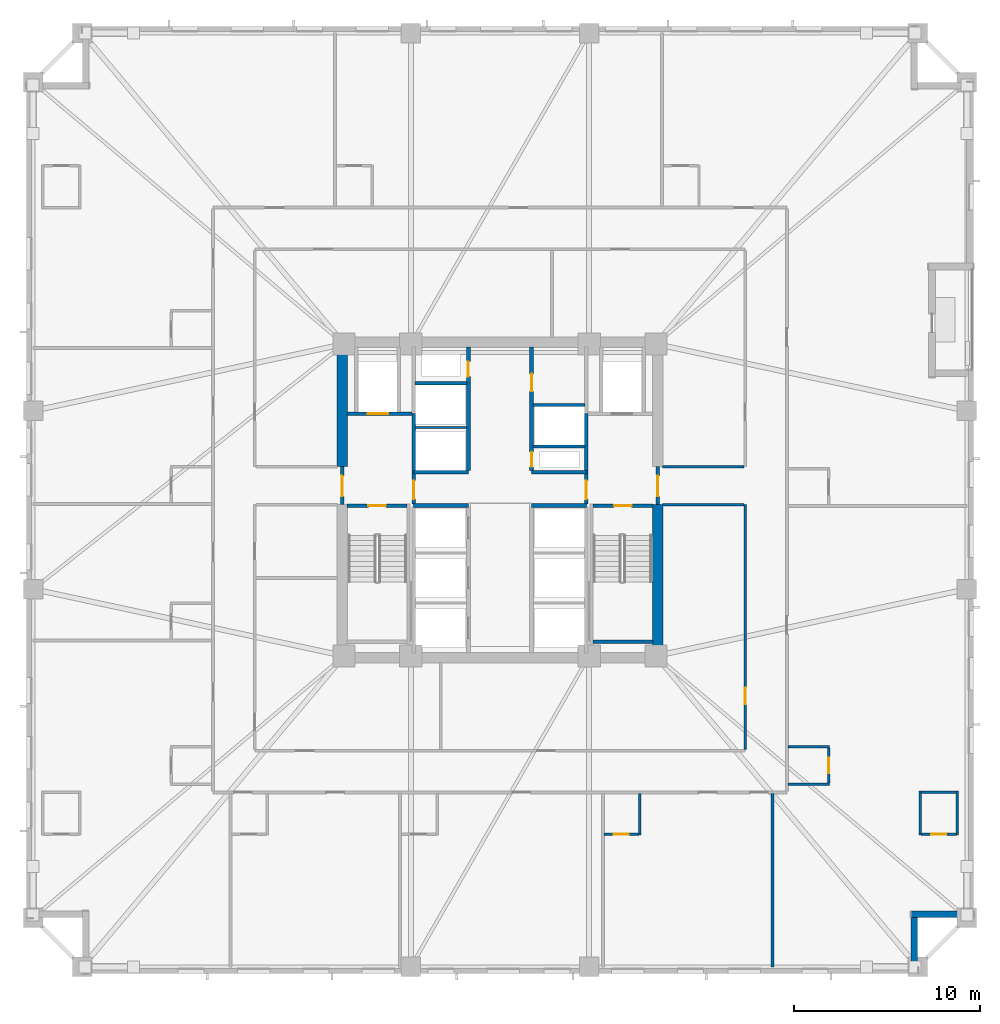
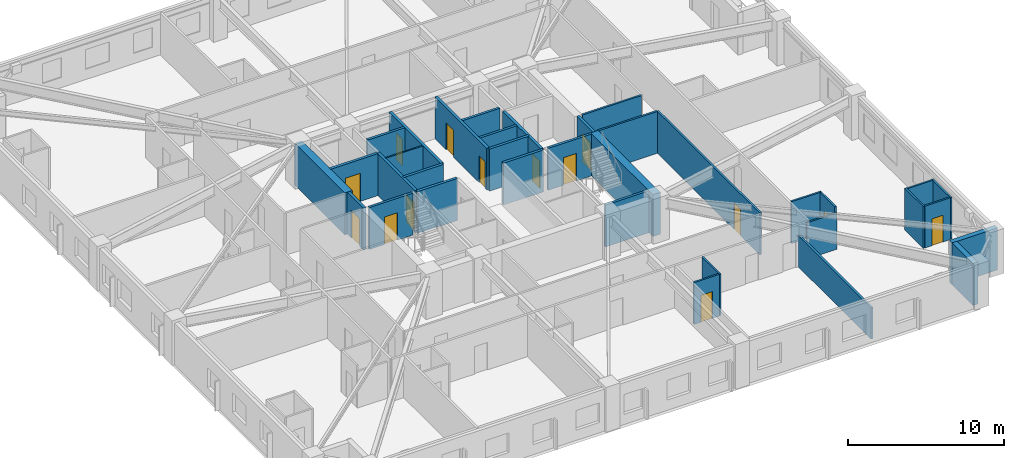
# One storey, part 4 of 12: 35 walls, 14 doors, 14 openings.
"""IFC4 building model written with IfcOpenShell, lengths in metres."""

import ifcopenshell
import ifcopenshell.guid

model = None  # the IFC model being written
_history = None  # IfcOwnerHistory: only IFC2X3 demands one
_inside = {}  # id of a spatial element -> (the spatial element, [elements in it])
_under = {}  # id of a project, library or spatial element -> (it, [spatial elements below it])
_declared = {}  # id of a project -> (the project, [libraries it declares])
_typed = {}  # id of a type object -> (the type object, [elements of that type])
_made_of = {}  # id of a material, layer set ... -> (it, [elements and type objects made of it])


def new_model(schema):
    """Start an empty IFC model of exactly this schema.

    Asked for "IFC4X3", IfcOpenShell would pick the latest addendum, in which some entities
    have other attributes; the version numbers below select the first issue.
    IFC2X3 requires an IfcOwnerHistory on every rooted entity: one is made here for all.
    """
    global model, _history
    if schema == "IFC4X3":
        model = ifcopenshell.file(schema_version=(4, 3, 0, 0))
    else:
        model = ifcopenshell.file(schema=schema)
    _inside.clear()
    _under.clear()
    _declared.clear()
    _typed.clear()
    _made_of.clear()
    _history = None
    if model.schema == "IFC2X3":
        org = make("IfcOrganization", Name="unknown")
        user = make(
            "IfcPersonAndOrganization",
            ThePerson=make("IfcPerson", FamilyName="unknown"),
            TheOrganization=org,
        )
        app = make(
            "IfcApplication",
            ApplicationDeveloper=org,
            Version="unknown",
            ApplicationFullName="unknown",
            ApplicationIdentifier="unknown",
        )
        _history = make(
            "IfcOwnerHistory",
            OwningUser=user,
            OwningApplication=app,
            ChangeAction="ADDED",
            CreationDate=0,
        )
    return model


def make(cls, **values):
    """One entity of the class cls with the attributes given. An attribute that is None is left unset."""
    return model.create_entity(
        cls, **{name: value for name, value in values.items() if value is not None}
    )


def rooted(cls, **values):
    """An entity with a GlobalId (a new one), such as an element, a storey or a relation."""
    return make(cls, GlobalId=ifcopenshell.guid.new(), OwnerHistory=_history, **values)


def si_unit(unit_type, name, prefix=None):
    """IfcSIUnit, for example si_unit("LENGTHUNIT", "METRE", prefix="MILLI")."""
    return make("IfcSIUnit", UnitType=unit_type, Prefix=prefix, Name=name)


def assignment(units):
    """IfcUnitAssignment: the units of a project."""
    return None if units is None else make("IfcUnitAssignment", Units=units)


def point(xyz):
    """IfcCartesianPoint."""
    return None if xyz is None else make("IfcCartesianPoint", Coordinates=xyz)


def direction(xyz):
    """IfcDirection."""
    return None if xyz is None else make("IfcDirection", DirectionRatios=xyz)


def frame(location, z_axis=None, x_axis=None):
    """IfcAxis2Placement3D, a coordinate frame: its origin and axes. An axis left out is left unset."""
    return make(
        "IfcAxis2Placement3D",
        Location=point(location),
        Axis=direction(z_axis),
        RefDirection=direction(x_axis),
    )


def frame_2d(location, x_axis=None):
    """IfcAxis2Placement2D, a coordinate frame in the plane: its origin and x axis."""
    return make(
        "IfcAxis2Placement2D", Location=point(location), RefDirection=direction(x_axis)
    )


def origin():
    """The frame at (0, 0, 0) with its axes left unset."""
    return frame((0.0, 0.0, 0.0))


def place(relative_to, where):
    """IfcLocalPlacement: puts the frame where relative to a parent placement (None: the world)."""
    return make(
        "IfcLocalPlacement", PlacementRelTo=relative_to, RelativePlacement=where
    )


def context(
    kind, dimensions, precision=None, world=None, true_north=None, identifier=None
):
    """IfcGeometricRepresentationContext, for example the 3D "Model" context."""
    return make(
        "IfcGeometricRepresentationContext",
        ContextIdentifier=identifier,
        ContextType=kind,
        CoordinateSpaceDimension=dimensions,
        Precision=precision,
        WorldCoordinateSystem=world,
        TrueNorth=true_north,
    )


def subcontext(parent, identifier, kind, view, scale=None):
    """IfcGeometricRepresentationSubContext, for example "Body" below "Model"."""
    return make(
        "IfcGeometricRepresentationSubContext",
        ContextIdentifier=identifier,
        ContextType=kind,
        ParentContext=parent,
        TargetScale=scale,
        TargetView=view,
    )


def project(units=None, contexts=None):
    """IfcProject with its units and contexts."""
    return rooted(
        "IfcProject",
        Name="project",
        RepresentationContexts=contexts,
        UnitsInContext=assignment(units),
    )


def spatial(cls, under=None, at=None, **own):
    """A site, building, storey or space (cls), placed at a placement, below another one or the project."""
    s = rooted(cls, ObjectPlacement=at, **own)
    if under is not None:
        _under.setdefault(under.id(), (under, []))[1].append(s)
    return s


def profile(cls, at=None, kind="AREA", **sizes):
    """A parametric profile (cls). Its sizes go by their IFC names, for example OverallWidth=200.0."""
    return make(cls, ProfileType=kind, Position=at, **sizes)


def rectangle(**sizes):
    """IfcRectangleProfileDef."""
    return profile("IfcRectangleProfileDef", **sizes)


def extrude(swept, where, along, depth):
    """IfcExtrudedAreaSolid: the profile swept, set in the frame where, extruded along a direction by depth."""
    return make(
        "IfcExtrudedAreaSolid",
        SweptArea=swept,
        Position=where,
        ExtrudedDirection=direction(along),
        Depth=depth,
    )


def shape(context_of_items, identifier, shape_type, items):
    """IfcShapeRepresentation: the items that make up one representation, for example the "Body"."""
    return make(
        "IfcShapeRepresentation",
        ContextOfItems=context_of_items,
        RepresentationIdentifier=identifier,
        RepresentationType=shape_type,
        Items=items,
    )


def material(Name=None, Category=None):
    """IfcMaterial."""
    return make("IfcMaterial", Name=Name, Category=Category)


def layer(
    of_material, thickness, ventilated=None, Name=None, Category=None, Priority=None
):
    """IfcMaterialLayer: one layer of a wall or slab, of a material (None: an air gap)."""
    return make(
        "IfcMaterialLayer",
        Material=of_material,
        LayerThickness=thickness,
        IsVentilated=ventilated,
        Name=Name,
        Category=Category,
        Priority=Priority,
    )


def layer_set(layers, Name=None):
    """IfcMaterialLayerSet."""
    return make("IfcMaterialLayerSet", MaterialLayers=layers, LayerSetName=Name)


def made_of(thing, what):
    """Note that an element or type object is made of a material, layer set ...; save() writes the relation."""
    if what is not None:
        _made_of.setdefault(what.id(), (what, []))[1].append(thing)
    return thing


def type_object(cls, material=None, **own):
    """A type object (cls), such as IfcWallType, which elements share."""
    return made_of(rooted(cls, **own), material)


def element(
    cls,
    number,
    at=None,
    inside=None,
    cuts=None,
    type_object=None,
    material=None,
    context=None,
    identifier="Body",
    shape_type=None,
    held_by="IfcProductDefinitionShape",
    body=None,
    shapes=None,
    **own,
):
    """One element of the class cls, such as IfcWall. Its Tag is "e" and its number.

    at: its placement. inside: the storey or other place that contains it. cuts: it is an
    opening in that element (IfcRelVoidsElement). A single representation is given by context,
    identifier, shape_type and body (its items); several are given by shapes. held_by: the class
    of the entity that holds the representations. save() writes the other relations.
    """
    e = rooted(cls, Tag="e%d" % number, ObjectPlacement=at, **own)
    if body is not None:
        shapes = [shape(context, identifier, shape_type, body)]
    if shapes is not None:
        e.Representation = make(held_by, Representations=shapes)
    if inside is not None:
        _inside.setdefault(inside.id(), (inside, []))[1].append(e)
    if cuts is not None:
        rooted(
            "IfcRelVoidsElement", RelatingBuildingElement=cuts, RelatedOpeningElement=e
        )
    if type_object is not None:
        _typed.setdefault(type_object.id(), (type_object, []))[1].append(e)
    return made_of(e, material)


def fill(opening, filler):
    """IfcRelFillsElement: the door or window that sits in an opening."""
    return rooted(
        "IfcRelFillsElement",
        RelatingOpeningElement=opening,
        RelatedBuildingElement=filler,
    )


def aggregate(whole, parts):
    """IfcRelAggregates: a whole, such as a stair, and the parts it consists of."""
    return rooted("IfcRelAggregates", RelatingObject=whole, RelatedObjects=parts)


def save(model, path):
    """Write the relations noted so far, then the file.

    IfcRelAggregates (storeys below a building ...), IfcRelContainedInSpatialStructure (elements
    in a storey), IfcRelDefinesByType, IfcRelAssociatesMaterial and IfcRelDeclares: one each for
    every whole, place, type object, material and project.
    """
    for whole, parts in _under.values():
        aggregate(whole, parts)
    for where, things in _inside.values():
        rooted(
            "IfcRelContainedInSpatialStructure",
            RelatedElements=things,
            RelatingStructure=where,
        )
    for kind, things in _typed.values():
        rooted("IfcRelDefinesByType", RelatedObjects=things, RelatingType=kind)
    for what, things in _made_of.values():
        rooted("IfcRelAssociatesMaterial", RelatedObjects=things, RelatingMaterial=what)
    for by, libraries in _declared.values():
        rooted("IfcRelDeclares", RelatingContext=by, RelatedDefinitions=libraries)
    model.write(path)


model = new_model("IFC4")

# Units and contexts
model_context = context("Model", 3, precision=1e-05, world=origin(), true_north=direction((0.0, 1.0)))
body_context = subcontext(model_context, "Body", "Model", "MODEL_VIEW")
ifc_project = project(units=[si_unit("LENGTHUNIT", "METRE"), si_unit("AREAUNIT", "SQUARE_METRE"), si_unit("VOLUMEUNIT", "CUBIC_METRE"), si_unit("PLANEANGLEUNIT", "RADIAN"), si_unit("MASSUNIT", "GRAM", prefix="KILO")], contexts=[model_context])

# Site, building, storey
site_placement = place(None, origin())
site = spatial("IfcSite", under=ifc_project, at=site_placement, CompositionType="ELEMENT")
building_placement = place(site_placement, origin())
building = spatial("IfcBuilding", under=site, at=building_placement, Name="Cairnveth Concourse Tower", CompositionType="ELEMENT")
storey_placement = place(building_placement, frame((0.0, 0.0, 83.0)))
storey = spatial("IfcBuildingStorey", under=building, at=storey_placement, Name="L22", CompositionType="ELEMENT", Elevation=83.0)

# Walls
ifc_material_1 = material(Name="Gypsum Plasterboard Partition", Category="gypsum")
ifc_layer_1 = layer(ifc_material_1, 0.159912109375)
ifc_layer_set_1 = layer_set([ifc_layer_1], Name="Gypsum Plasterboard Partition")
wall_type_1 = type_object("IfcWallType", Name="ACOUSTIC PARTY WALL 180", PredefinedType="PARTITIONING", material=ifc_layer_set_1)
wall_1_placement = place(storey_placement, frame((66.68798828125, 13.844970703125, 0.0), z_axis=(0.0, 0.0, 1.0), x_axis=(0.0, 1.0, 0.0)))
element("IfcWall", 1, at=wall_1_placement, inside=storey, type_object=wall_type_1, Name="Interior Wall IW-L22-067", PredefinedType="PARTITIONING", context=body_context, shape_type="SweptSolid", body=[
    extrude(rectangle(XDim=9.340087890625, YDim=0.159912109375, at=frame_2d((4.669921875, 0.0))), origin(), (0.0, 0.0, 1.0), 2.43896484375),
])
ifc_material_2 = material(Name="Concrete N80 (80 MPa)", Category="concrete")
ifc_layer_2 = layer(ifc_material_2, 0.550048828125)
ifc_layer_set_2 = layer_set([ifc_layer_2], Name="Concrete N80 (80 MPa)")
wall_type_2 = type_object("IfcWallType", Name="CORE SHEAR WALL 550", PredefinedType="SHEAR", material=ifc_layer_set_2)
wall_2_placement = place(storey_placement, frame((43.5, 40.800048828125, 0.0), z_axis=(0.0, 0.0, 1.0), x_axis=(0.0, 1.0, 0.0)))
element("IfcWall", 2, at=wall_2_placement, inside=storey, type_object=wall_type_2, Name="Core West Shear Wall N L22", PredefinedType="SHEAR", context=body_context, shape_type="SweptSolid", body=[
    extrude(rectangle(XDim=6.43505859375, YDim=0.550048828125, at=frame_2d((3.217529296875, 0.0))), origin(), (0.0, 0.0, 1.0), 3.280029296875),
])
wall_3_placement = place(storey_placement, frame((60.5, 30.764892578125, 0.0), z_axis=(0.0, 0.0, 1.0), x_axis=(0.0, 1.0, 0.0)))
element("IfcWall", 3, at=wall_3_placement, inside=storey, type_object=wall_type_2, Name="Core East Shear Wall S L22", PredefinedType="SHEAR", context=body_context, shape_type="SweptSolid", body=[
    extrude(rectangle(XDim=7.985107421875, YDim=0.550048828125, at=frame_2d((3.99267578125, 0.0))), origin(), (0.0, 0.0, 1.0), 3.280029296875),
])
ifc_material_3 = material(Name="Concrete N50 (50 MPa)", Category="concrete")
ifc_layer_3 = layer(ifc_material_3, 0.179931640625)
ifc_layer_set_3 = layer_set([ifc_layer_3], Name="Concrete N50 (50 MPa)")
wall_type_3 = type_object("IfcWallType", Name="FIRE SHAFT WALL 180", PredefinedType="SOLIDWALL", material=ifc_layer_set_3)
wall_4_placement = place(storey_placement, frame((47.425048828125, 45.280029296875, 0.0), z_axis=(0.0, 0.0, 1.0), x_axis=(1.0, 0.0, 0.0)))
element("IfcWall", 4, at=wall_4_placement, inside=storey, type_object=wall_type_3, Name="Interior Wall IW-L22-033", PredefinedType="SOLIDWALL", context=body_context, shape_type="SweptSolid", body=[
    extrude(rectangle(XDim=2.7900390625, YDim=0.179931640625, at=frame_2d((1.39501953125, 0.0))), origin(), (0.0, 0.0, 1.0), 3.280029296875),
])
wall_5_placement = place(storey_placement, frame((53.784912109375, 41.8798828125, 0.0), z_axis=(0.0, 0.0, 1.0), x_axis=(1.0, 0.0, 0.0)))
element("IfcWall", 5, at=wall_5_placement, inside=storey, type_object=wall_type_3, Name="Interior Wall IW-L22-035", PredefinedType="SOLIDWALL", context=body_context, shape_type="SweptSolid", body=[
    extrude(rectangle(XDim=2.780029296875, YDim=0.179931640625, at=frame_2d((1.39013671875, 0.0))), origin(), (0.0, 0.0, 1.0), 3.280029296875),
])
wall_6_placement = place(storey_placement, frame((53.784912109375, 44.1201171875, 0.0), z_axis=(0.0, 0.0, 1.0), x_axis=(1.0, 0.0, 0.0)))
element("IfcWall", 6, at=wall_6_placement, inside=storey, type_object=wall_type_3, Name="Interior Wall IW-L22-036", PredefinedType="SOLIDWALL", context=body_context, shape_type="SweptSolid", body=[
    extrude(rectangle(XDim=2.7900390625, YDim=0.179931640625, at=frame_2d((1.39501953125, 0.0))), origin(), (0.0, 0.0, 1.0), 3.280029296875),
])

# Wall, opening, door
wall_7_placement = place(storey_placement, frame((43.764892578125, 38.68994140625, 0.0), z_axis=(0.0, 0.0, 1.0), x_axis=(1.0, 0.0, 0.0)))
wall_7 = element("IfcWall", 7, at=wall_7_placement, inside=storey, type_object=wall_type_3, Name="Stair ST-1 Shaft Wall NEAR L22", PredefinedType="SOLIDWALL", context=body_context, shape_type="SweptSolid", body=[
    extrude(rectangle(XDim=3.230224609375, YDim=0.179931640625, at=frame_2d((1.615234375, 0.0))), origin(), (0.0, 0.0, 1.0), 3.280029296875),
])
opening_1_placement = place(wall_7_placement, frame((1.139892578125, 0.0, 0.0)))
opening_1 = element("IfcOpeningElement", 8, at=opening_1_placement, cuts=wall_7, Name="Opening ID12", PredefinedType="OPENING", context=body_context, shape_type="SweptSolid", body=[
    extrude(rectangle(XDim=0.949951171875, YDim=2.14990234375, at=frame_2d((0.47509765625, 1.074951171875))), frame((0.0, 0.099853515625, 0.0), z_axis=(0.0, -1.0, 0.0), x_axis=(1.0, 0.0, 0.0)), (0.0, 0.0, 1.0), 0.199951171875),
])
ifc_material_4 = material(Name="Steel Grade 350", Category="steel")
door_type_1 = type_object("IfcDoorType", Name="FIRE STAIR DOOR 950X2150", OperationType="NOTDEFINED", PredefinedType="DOOR", material=ifc_material_4)
door_1_placement = place(opening_1_placement, origin())
door_1 = element("IfcDoor", 9, at=door_1_placement, inside=storey, type_object=door_type_1, Name="Stair ST-1 Fire Door L22", OperationType="SINGLE_SWING_LEFT", OverallHeight=2.14990234375, OverallWidth=0.949951171875, PredefinedType="DOOR", context=body_context, shape_type="SweptSolid", body=[
    extrude(rectangle(XDim=0.949951171875, YDim=2.14990234375, at=frame_2d((0.47509765625, 1.074951171875))), frame((0.0, 0.02490234375, 0.0), z_axis=(0.0, -1.0, 0.0), x_axis=(1.0, 0.0, 0.0)), (0.0, 0.0, 1.0), 0.050048828125),
])
fill(opening_1, door_1)

wall_8_placement = place(storey_placement, frame((57.0048828125, 38.68994140625, 0.0), z_axis=(0.0, 0.0, 1.0), x_axis=(1.0, 0.0, 0.0)))
wall_8 = element("IfcWall", 10, at=wall_8_placement, inside=storey, type_object=wall_type_3, Name="Stair ST-2 Shaft Wall NEAR L22", PredefinedType="SOLIDWALL", context=body_context, shape_type="SweptSolid", body=[
    extrude(rectangle(XDim=3.230224609375, YDim=0.179931640625, at=frame_2d((1.615234375, 0.0))), origin(), (0.0, 0.0, 1.0), 3.280029296875),
])
opening_2_placement = place(wall_8_placement, frame((1.139892578125, 0.0, 0.0)))
opening_2 = element("IfcOpeningElement", 11, at=opening_2_placement, cuts=wall_8, Name="Opening ID12", PredefinedType="OPENING", context=body_context, shape_type="SweptSolid", body=[
    extrude(rectangle(XDim=0.949951171875, YDim=2.14990234375, at=frame_2d((0.47509765625, 1.074951171875))), frame((0.0, 0.099853515625, 0.0), z_axis=(0.0, -1.0, 0.0), x_axis=(1.0, 0.0, 0.0)), (0.0, 0.0, 1.0), 0.199951171875),
])
door_2_placement = place(opening_2_placement, origin())
door_2 = element("IfcDoor", 12, at=door_2_placement, inside=storey, type_object=door_type_1, Name="Stair ST-2 Fire Door L22", OperationType="SINGLE_SWING_RIGHT", OverallHeight=2.14990234375, OverallWidth=0.949951171875, PredefinedType="DOOR", context=body_context, shape_type="SweptSolid", body=[
    extrude(rectangle(XDim=0.949951171875, YDim=2.14990234375, at=frame_2d((0.47509765625, 1.074951171875))), frame((0.0, 0.02490234375, 0.0), z_axis=(0.0, -1.0, 0.0), x_axis=(1.0, 0.0, 0.0)), (0.0, 0.0, 1.0), 0.050048828125),
])
fill(opening_2, door_2)

# Walls
wall_9_placement = place(storey_placement, frame((57.0048828125, 31.360107421875, 0.0), z_axis=(0.0, 0.0, 1.0), x_axis=(1.0, 0.0, 0.0)))
element("IfcWall", 13, at=wall_9_placement, inside=storey, type_object=wall_type_3, Name="Stair ST-2 Shaft Wall FAR L22", PredefinedType="SOLIDWALL", context=body_context, shape_type="SweptSolid", body=[
    extrude(rectangle(XDim=3.230224609375, YDim=0.179931640625, at=frame_2d((1.615234375, 0.0))), origin(), (0.0, 0.0, 1.0), 3.280029296875),
])
ifc_layer_4 = layer(ifc_material_3, 0.199951171875)
ifc_layer_set_4 = layer_set([ifc_layer_4], Name="Concrete N50 (50 MPa)")
wall_type_4 = type_object("IfcWallType", Name="FIRE SHAFT WALL 200", PredefinedType="SOLIDWALL", material=ifc_layer_set_4)
for number, where, z_axis, x_axis, name in (
    (14, (47.35009765625, 38.699951171875, 0.0), (0.0, 0.0, 1.0), (1.0, 0.0, 0.0), "Interior Wall IW-L22-007"),
    (15, (47.35009765625, 40.5, 0.0), (0.0, 0.0, 1.0), (1.0, 0.0, 0.0), "Interior Wall IW-L22-008"),
    (16, (53.699951171875, 38.699951171875, 0.0), (0.0, 0.0, 1.0), (1.0, 0.0, 0.0), "Interior Wall IW-L22-009"),
    (17, (53.699951171875, 40.5, 0.0), (0.0, 0.0, 1.0), (1.0, 0.0, 0.0), "Interior Wall IW-L22-010"),
):
    element("IfcWall", number, at=place(storey_placement, frame(where, z_axis=z_axis, x_axis=x_axis)), inside=storey, type_object=wall_type_4, Name=name, PredefinedType="SOLIDWALL", context=body_context, shape_type="SweptSolid", body=[
        extrude(rectangle(XDim=2.949951171875, YDim=0.199951171875, at=frame_2d((1.47509765625, 0.0))), origin(), (0.0, 0.0, 1.0), 3.280029296875),
    ])

# Wall, opening, door
wall_10_placement = place(storey_placement, frame((50.300048828125, 40.5849609375, 0.0), z_axis=(0.0, 0.0, 1.0), x_axis=(0.0, 1.0, 0.0)))
wall_10 = element("IfcWall", 18, at=wall_10_placement, inside=storey, type_object=wall_type_4, Name="Interior Wall IW-L22-013", PredefinedType="SOLIDWALL", context=body_context, shape_type="SweptSolid", body=[
    extrude(rectangle(XDim=6.655029296875, YDim=0.199951171875, at=frame_2d((3.32763671875, 0.0))), origin(), (0.0, 0.0, 1.0), 3.280029296875),
])
opening_3_placement = place(wall_10_placement, frame((5.06494140625, 0.0, 0.0)))
opening_3 = element("IfcOpeningElement", 19, at=opening_3_placement, cuts=wall_10, Name="Opening ID24", PredefinedType="OPENING", context=body_context, shape_type="SweptSolid", body=[
    extrude(rectangle(XDim=0.800048828125, YDim=2.080078125, at=frame_2d((0.39990234375, 1.0400390625))), frame((0.0, 0.10986328125, 0.0), z_axis=(0.0, -1.0, 0.0), x_axis=(1.0, 0.0, 0.0)), (0.0, 0.0, 1.0), 0.219970703125),
])
door_type_2 = type_object("IfcDoorType", Name="RISER ACCESS DOOR 800X2100", OperationType="NOTDEFINED", PredefinedType="DOOR", material=ifc_material_4)
door_3_placement = place(opening_3_placement, origin())
door_3 = element("IfcDoor", 20, at=door_3_placement, inside=storey, type_object=door_type_2, Name="NW Electrical Riser Access Door L22", OperationType="SINGLE_SWING_RIGHT", OverallHeight=2.080078125, OverallWidth=0.800048828125, PredefinedType="DOOR", context=body_context, shape_type="SweptSolid", body=[
    extrude(rectangle(XDim=0.800048828125, YDim=2.080078125, at=frame_2d((0.39990234375, 1.0400390625))), frame((0.0, 0.02490234375, 0.0), z_axis=(0.0, -1.0, 0.0), x_axis=(1.0, 0.0, 0.0)), (0.0, 0.0, 1.0), 0.050048828125),
])
fill(opening_3, door_3)

# Wall, openings, doors
wall_11_placement = place(storey_placement, frame((53.699951171875, 40.5849609375, 0.0), z_axis=(0.0, 0.0, 1.0), x_axis=(0.0, 1.0, 0.0)))
wall_11 = element("IfcWall", 21, at=wall_11_placement, inside=storey, type_object=wall_type_4, Name="Interior Wall IW-L22-014", PredefinedType="SOLIDWALL", context=body_context, shape_type="SweptSolid", body=[
    extrude(rectangle(XDim=6.655029296875, YDim=0.199951171875, at=frame_2d((3.32763671875, 0.0))), origin(), (0.0, 0.0, 1.0), 3.280029296875),
])
opening_4_placement = place(wall_11_placement, frame((0.195068359375, 0.0, 0.0)))
opening_4 = element("IfcOpeningElement", 22, at=opening_4_placement, cuts=wall_11, Name="Opening ID24", PredefinedType="OPENING", context=body_context, shape_type="SweptSolid", body=[
    extrude(rectangle(XDim=0.800048828125, YDim=2.080078125, at=frame_2d((0.39990234375, 1.0400390625))), frame((0.0, 0.10986328125, 0.0), z_axis=(0.0, -1.0, 0.0), x_axis=(1.0, 0.0, 0.0)), (0.0, 0.0, 1.0), 0.219970703125),
])
opening_5_placement = place(wall_11_placement, frame((4.264892578125, 0.0, 0.0)))
opening_5 = element("IfcOpeningElement", 23, at=opening_5_placement, cuts=wall_11, Name="Opening ID25", PredefinedType="OPENING", context=body_context, shape_type="SweptSolid", body=[
    extrude(rectangle(XDim=0.949951171875, YDim=2.1201171875, at=frame_2d((0.47509765625, 1.06005859375))), frame((0.0, 0.10986328125, 0.0), z_axis=(0.0, -1.0, 0.0), x_axis=(1.0, 0.0, 0.0)), (0.0, 0.0, 1.0), 0.219970703125),
])
door_type_3 = type_object("IfcDoorType", Name="CORE ACCESSIBLE FIRE DOOR 950X2120", OperationType="NOTDEFINED", PredefinedType="DOOR", material=ifc_material_4)
door_4_placement = place(opening_5_placement, origin())
door_4 = element("IfcDoor", 24, at=door_4_placement, inside=storey, type_object=door_type_3, Name="Core NE Accessible WC Door L22", OperationType="SINGLE_SWING_RIGHT", OverallHeight=2.1201171875, OverallWidth=0.949951171875, PredefinedType="DOOR", context=body_context, shape_type="SweptSolid", body=[
    extrude(rectangle(XDim=0.949951171875, YDim=2.1201171875, at=frame_2d((0.47509765625, 1.06005859375))), frame((0.0, 0.02490234375, 0.0), z_axis=(0.0, -1.0, 0.0), x_axis=(1.0, 0.0, 0.0)), (0.0, 0.0, 1.0), 0.050048828125),
])
fill(opening_5, door_4)
door_5_placement = place(opening_4_placement, origin())
door_5 = element("IfcDoor", 25, at=door_5_placement, inside=storey, type_object=door_type_2, Name="Hydraulic Riser Door L22", OperationType="SINGLE_SWING_LEFT", OverallHeight=2.080078125, OverallWidth=0.800048828125, PredefinedType="DOOR", context=body_context, shape_type="SweptSolid", body=[
    extrude(rectangle(XDim=0.800048828125, YDim=2.080078125, at=frame_2d((0.39990234375, 1.0400390625))), frame((0.0, 0.02490234375, 0.0), z_axis=(0.0, -1.0, 0.0), x_axis=(1.0, 0.0, 0.0)), (0.0, 0.0, 1.0), 0.050048828125),
])
fill(opening_4, door_5)

# Wall, opening, door
wall_12_placement = place(storey_placement, frame((43.5, 38.75, 0.0), z_axis=(0.0, 0.0, 1.0), x_axis=(0.0, 1.0, 0.0)))
wall_12 = element("IfcWall", 26, at=wall_12_placement, inside=storey, type_object=wall_type_4, Name="Interior Wall IW-L22-015", PredefinedType="SOLIDWALL", context=body_context, shape_type="SweptSolid", body=[
    extrude(rectangle(XDim=2.050048828125, YDim=0.199951171875, at=frame_2d((1.02490234375, 0.0))), origin(), (0.0, 0.0, 1.0), 3.280029296875),
])
opening_6_placement = place(wall_12_placement, frame((0.449951171875, 0.0, 0.0)))
opening_6 = element("IfcOpeningElement", 27, at=opening_6_placement, cuts=wall_12, Name="Opening ID06", PredefinedType="OPENING", context=body_context, shape_type="SweptSolid", body=[
    extrude(rectangle(XDim=1.10009765625, YDim=2.14990234375, at=frame_2d((0.550048828125, 1.074951171875))), frame((0.0, 0.10986328125, 0.0), z_axis=(0.0, -1.0, 0.0), x_axis=(1.0, 0.0, 0.0)), (0.0, 0.0, 1.0), 0.219970703125),
])
door_type_4 = type_object("IfcDoorType", Name="FIRE CORRIDOR DOOR 1100X2150", OperationType="NOTDEFINED", PredefinedType="DOOR", material=ifc_material_4)
door_6_placement = place(opening_6_placement, origin())
door_6 = element("IfcDoor", 28, at=door_6_placement, inside=storey, type_object=door_type_4, Name="West Wing to FF Lobby Door L22", OperationType="SINGLE_SWING_LEFT", OverallHeight=2.14990234375, OverallWidth=1.10009765625, PredefinedType="DOOR", context=body_context, shape_type="SweptSolid", body=[
    extrude(rectangle(XDim=1.10009765625, YDim=2.14990234375, at=frame_2d((0.550048828125, 1.074951171875))), frame((0.0, 0.02490234375, 0.0), z_axis=(0.0, -1.0, 0.0), x_axis=(1.0, 0.0, 0.0)), (0.0, 0.0, 1.0), 0.050048828125),
])
fill(opening_6, door_6)

wall_13_placement = place(storey_placement, frame((47.35009765625, 38.784912109375, 0.0), z_axis=(0.0, 0.0, 1.0), x_axis=(0.0, 1.0, 0.0)))
wall_13 = element("IfcWall", 29, at=wall_13_placement, inside=storey, type_object=wall_type_4, Name="Interior Wall IW-L22-016", PredefinedType="SOLIDWALL", context=body_context, shape_type="SweptSolid", body=[
    extrude(rectangle(XDim=4.864990234375, YDim=0.199951171875, at=frame_2d((2.4326171875, 0.0))), origin(), (0.0, 0.0, 1.0), 3.280029296875),
])
opening_7_placement = place(wall_13_placement, frame((0.264892578125, 0.0, 0.0)))
opening_7 = element("IfcOpeningElement", 30, at=opening_7_placement, cuts=wall_13, Name="Opening ID07", PredefinedType="OPENING", context=body_context, shape_type="SweptSolid", body=[
    extrude(rectangle(XDim=1.0, YDim=2.14990234375, at=frame_2d((0.5, 1.074951171875))), frame((0.0, 0.10986328125, 0.0), z_axis=(0.0, -1.0, 0.0), x_axis=(1.0, 0.0, 0.0)), (0.0, 0.0, 1.0), 0.219970703125),
])
door_type_5 = type_object("IfcDoorType", Name="FIRE CORRIDOR DOOR 1000X2150", OperationType="NOTDEFINED", PredefinedType="DOOR", material=ifc_material_4)
door_7_placement = place(opening_7_placement, origin())
door_7 = element("IfcDoor", 31, at=door_7_placement, inside=storey, type_object=door_type_5, Name="FF Lobby West to Lift Lobby Door L22", OperationType="SINGLE_SWING_RIGHT", OverallHeight=2.14990234375, OverallWidth=1.0, PredefinedType="DOOR", context=body_context, shape_type="SweptSolid", body=[
    extrude(rectangle(XDim=1.0, YDim=2.14990234375, at=frame_2d((0.5, 1.074951171875))), frame((0.0, 0.02490234375, 0.0), z_axis=(0.0, -1.0, 0.0), x_axis=(1.0, 0.0, 0.0)), (0.0, 0.0, 1.0), 0.050048828125),
])
fill(opening_7, door_7)

wall_14_placement = place(storey_placement, frame((43.760009765625, 43.64990234375, 0.0), z_axis=(0.0, 0.0, 1.0), x_axis=(1.0, 0.0, 0.0)))
wall_14 = element("IfcWall", 32, at=wall_14_placement, inside=storey, type_object=wall_type_4, Name="Interior Wall IW-L22-017", PredefinedType="SOLIDWALL", context=body_context, shape_type="SweptSolid", body=[
    extrude(rectangle(XDim=3.5048828125, YDim=0.199951171875, at=frame_2d((1.75244140625, 0.0))), origin(), (0.0, 0.0, 1.0), 3.280029296875),
])
opening_8_placement = place(wall_14_placement, frame((1.110107421875, 0.0, 0.0)))
opening_8 = element("IfcOpeningElement", 33, at=opening_8_placement, cuts=wall_14, Name="Opening LD-1", PredefinedType="OPENING", context=body_context, shape_type="SweptSolid", body=[
    extrude(rectangle(XDim=1.10009765625, YDim=2.199951171875, at=frame_2d((0.550048828125, 1.10009765625))), frame((0.0, 0.10986328125, 0.0), z_axis=(0.0, -1.0, 0.0), x_axis=(1.0, 0.0, 0.0)), (0.0, 0.0, 1.0), 0.219970703125),
])
ifc_material_5 = material(Name="Architectural Bronze Anodised Aluminium 6063-T6", Category="aluminium")
door_type_6 = type_object("IfcDoorType", Name="LIFT LANDING DOOR 1100X2200", OperationType="SLIDING_TO_LEFT", PredefinedType="DOOR", material=ifc_material_5)
door_8_placement = place(opening_8_placement, origin())
door_8 = element("IfcDoor", 34, at=door_8_placement, inside=storey, type_object=door_type_6, Name="Lift FFL1 Landing Door L22", OperationType="SLIDING_TO_LEFT", OverallHeight=2.199951171875, OverallWidth=1.10009765625, PredefinedType="DOOR", context=body_context, shape_type="SweptSolid", body=[
    extrude(rectangle(XDim=1.10009765625, YDim=2.199951171875, at=frame_2d((0.550048828125, 1.10009765625))), frame((0.0, 0.02490234375, 0.0), z_axis=(0.0, -1.0, 0.0), x_axis=(1.0, 0.0, 0.0)), (0.0, 0.0, 1.0), 0.050048828125),
])
fill(opening_8, door_8)

wall_15_placement = place(storey_placement, frame((60.5, 38.75, 0.0), z_axis=(0.0, 0.0, 1.0), x_axis=(0.0, 1.0, 0.0)))
wall_15 = element("IfcWall", 35, at=wall_15_placement, inside=storey, type_object=wall_type_4, Name="Interior Wall IW-L22-020", PredefinedType="SOLIDWALL", context=body_context, shape_type="SweptSolid", body=[
    extrude(rectangle(XDim=2.050048828125, YDim=0.199951171875, at=frame_2d((1.02490234375, 0.0))), origin(), (0.0, 0.0, 1.0), 3.280029296875),
])
opening_9_placement = place(wall_15_placement, frame((0.449951171875, 0.0, 0.0)))
opening_9 = element("IfcOpeningElement", 36, at=opening_9_placement, cuts=wall_15, Name="Opening ID06", PredefinedType="OPENING", context=body_context, shape_type="SweptSolid", body=[
    extrude(rectangle(XDim=1.10009765625, YDim=2.14990234375, at=frame_2d((0.550048828125, 1.074951171875))), frame((0.0, 0.10986328125, 0.0), z_axis=(0.0, -1.0, 0.0), x_axis=(1.0, 0.0, 0.0)), (0.0, 0.0, 1.0), 0.219970703125),
])
door_9_placement = place(opening_9_placement, origin())
door_9 = element("IfcDoor", 37, at=door_9_placement, inside=storey, type_object=door_type_4, Name="East Wing to FF Lobby Door L22", OperationType="SINGLE_SWING_RIGHT", OverallHeight=2.14990234375, OverallWidth=1.10009765625, PredefinedType="DOOR", context=body_context, shape_type="SweptSolid", body=[
    extrude(rectangle(XDim=1.10009765625, YDim=2.14990234375, at=frame_2d((0.550048828125, 1.074951171875))), frame((0.0, 0.02490234375, 0.0), z_axis=(0.0, -1.0, 0.0), x_axis=(1.0, 0.0, 0.0)), (0.0, 0.0, 1.0), 0.050048828125),
])
fill(opening_9, door_9)

wall_16_placement = place(storey_placement, frame((56.64990234375, 38.784912109375, 0.0), z_axis=(0.0, 0.0, 1.0), x_axis=(0.0, 1.0, 0.0)))
wall_16 = element("IfcWall", 38, at=wall_16_placement, inside=storey, type_object=wall_type_4, Name="Interior Wall IW-L22-021", PredefinedType="SOLIDWALL", context=body_context, shape_type="SweptSolid", body=[
    extrude(rectangle(XDim=4.864990234375, YDim=0.199951171875, at=frame_2d((2.4326171875, 0.0))), origin(), (0.0, 0.0, 1.0), 3.280029296875),
])
opening_10_placement = place(wall_16_placement, frame((0.264892578125, 0.0, 0.0)))
opening_10 = element("IfcOpeningElement", 39, at=opening_10_placement, cuts=wall_16, Name="Opening ID07", PredefinedType="OPENING", context=body_context, shape_type="SweptSolid", body=[
    extrude(rectangle(XDim=1.0, YDim=2.14990234375, at=frame_2d((0.5, 1.074951171875))), frame((0.0, 0.10986328125, 0.0), z_axis=(0.0, -1.0, 0.0), x_axis=(1.0, 0.0, 0.0)), (0.0, 0.0, 1.0), 0.219970703125),
])
door_10_placement = place(opening_10_placement, origin())
door_10 = element("IfcDoor", 40, at=door_10_placement, inside=storey, type_object=door_type_5, Name="FF Lobby East to Lift Lobby Door L22", OperationType="SINGLE_SWING_LEFT", OverallHeight=2.14990234375, OverallWidth=1.0, PredefinedType="DOOR", context=body_context, shape_type="SweptSolid", body=[
    extrude(rectangle(XDim=1.0, YDim=2.14990234375, at=frame_2d((0.5, 1.074951171875))), frame((0.0, 0.02490234375, 0.0), z_axis=(0.0, -1.0, 0.0), x_axis=(1.0, 0.0, 0.0)), (0.0, 0.0, 1.0), 0.050048828125),
])
fill(opening_10, door_10)

ifc_layer_5 = layer(ifc_material_1, 0.139892578125)
ifc_layer_set_5 = layer_set([ifc_layer_5], Name="Gypsum Plasterboard Partition")
wall_type_5 = type_object("IfcWallType", Name="GYPSUM STUD PARTITION 140", PredefinedType="PARTITIONING", material=ifc_layer_set_5)
wall_17_placement = place(storey_placement, frame((65.199951171875, 25.554931640625, 0.0), z_axis=(0.0, 0.0, 1.0), x_axis=(0.0, 1.0, 0.0)))
wall_17 = element("IfcWall", 41, at=wall_17_placement, inside=storey, type_object=wall_type_5, Name="Interior Wall IW-L22-047", PredefinedType="PARTITIONING", context=body_context, shape_type="SweptSolid", body=[
    extrude(rectangle(XDim=13.195068359375, YDim=0.139892578125, at=frame_2d((6.59765625, 0.0))), origin(), (0.0, 0.0, 1.0), 3.280029296875),
])
opening_11_placement = place(wall_17_placement, frame((2.445068359375, 0.0, 0.0)))
opening_11 = element("IfcOpeningElement", 42, at=opening_11_placement, cuts=wall_17, Name="Opening ID18", PredefinedType="OPENING", context=body_context, shape_type="SweptSolid", body=[
    extrude(rectangle(XDim=0.8798828125, YDim=2.10009765625, at=frame_2d((0.43994140625, 1.050048828125))), frame((0.0, 0.079833984375, 0.0), z_axis=(0.0, -1.0, 0.0), x_axis=(1.0, 0.0, 0.0)), (0.0, 0.0, 1.0), 0.159912109375),
])
ifc_material_6 = material(Name="Solid Core Hardwood Timber Leaf", Category="wood")
door_type_7 = type_object("IfcDoorType", Name="INTERIOR SINGLE DOOR 880X2100", OperationType="NOTDEFINED", PredefinedType="DOOR", material=ifc_material_6)
door_11_placement = place(opening_11_placement, origin())
door_11 = element("IfcDoor", 43, at=door_11_placement, inside=storey, type_object=door_type_7, Name="Interior Door DR-L22-020", OperationType="SINGLE_SWING_RIGHT", OverallHeight=2.10009765625, OverallWidth=0.8798828125, PredefinedType="DOOR", context=body_context, shape_type="SweptSolid", body=[
    extrude(rectangle(XDim=0.8798828125, YDim=2.10009765625, at=frame_2d((0.43994140625, 1.050048828125))), frame((0.0, 0.02490234375, 0.0), z_axis=(0.0, -1.0, 0.0), x_axis=(1.0, 0.0, 0.0)), (0.0, 0.0, 1.0), 0.050048828125),
])
fill(opening_11, door_11)

# Walls
for number, where, z_axis, x_axis, name in (
    (44, (60.760009765625, 38.75, 0.0), (0.0, 0.0, 1.0), (1.0, 0.0, 0.0), "Interior Wall IW-L22-049"),
    (45, (60.760009765625, 40.800048828125, 0.0), (0.0, 0.0, 1.0), (1.0, 0.0, 0.0), "Interior Wall IW-L22-050"),
):
    element("IfcWall", number, at=place(storey_placement, frame(where, z_axis=z_axis, x_axis=x_axis)), inside=storey, type_object=wall_type_5, Name=name, PredefinedType="PARTITIONING", context=body_context, shape_type="SweptSolid", body=[
        extrude(rectangle(XDim=4.385009765625, YDim=0.139892578125, at=frame_2d((2.1923828125, 0.0))), origin(), (0.0, 0.0, 1.0), 3.280029296875),
    ])
ifc_layer_6 = layer(ifc_material_1, 0.110107421875)
ifc_layer_set_6 = layer_set([ifc_layer_6], Name="Gypsum Plasterboard Partition")
wall_type_6 = type_object("IfcWallType", Name="SHAFT DIVIDER WALL 140", PredefinedType="PARTITIONING", material=ifc_layer_set_6)
wall_18_placement = place(storey_placement, frame((47.43505859375, 42.89990234375, 0.0), z_axis=(0.0, 0.0, 1.0), x_axis=(1.0, 0.0, 0.0)))
element("IfcWall", 46, at=wall_18_placement, inside=storey, type_object=wall_type_6, Name="Interior Wall IW-L22-032", PredefinedType="PARTITIONING", context=body_context, shape_type="SweptSolid", body=[
    extrude(rectangle(XDim=2.780029296875, YDim=0.110107421875, at=frame_2d((1.39013671875, 0.0))), origin(), (0.0, 0.0, 1.0), 3.280029296875),
])
ifc_layer_7 = layer(ifc_material_1, 0.1298828125)
ifc_layer_set_7 = layer_set([ifc_layer_7], Name="Gypsum Plasterboard Partition")
wall_type_7 = type_object("IfcWallType", Name="WET AREA PARTITION 140", PredefinedType="PLUMBINGWALL", material=ifc_layer_set_7)
wall_19_placement = place(storey_placement, frame((59.535888671875, 20.949951171875, 0.0), z_axis=(0.0, 0.0, 1.0), x_axis=(0.0, 1.0, 0.0)))
element("IfcWall", 47, at=wall_19_placement, inside=storey, type_object=wall_type_7, Name="Interior Wall IW-L22-065", PredefinedType="PLUMBINGWALL", context=body_context, shape_type="SweptSolid", body=[
    extrude(rectangle(XDim=2.235107421875, YDim=0.1298828125, at=frame_2d((1.11767578125, 0.0))), origin(), (0.0, 0.0, 1.0), 3.280029296875),
])

# Wall, opening, door
wall_20_placement = place(storey_placement, frame((57.60107421875, 21.0, 0.0), z_axis=(0.0, 0.0, 1.0), x_axis=(1.0, 0.0, 0.0)))
wall_20 = element("IfcWall", 48, at=wall_20_placement, inside=storey, type_object=wall_type_7, Name="Interior Wall IW-L22-066", PredefinedType="PLUMBINGWALL", context=body_context, shape_type="SweptSolid", body=[
    extrude(rectangle(XDim=1.885009765625, YDim=0.1298828125, at=frame_2d((0.9423828125, 0.0))), origin(), (0.0, 0.0, 1.0), 3.280029296875),
])
opening_12_placement = place(wall_20_placement, frame((0.52490234375, 0.0, 0.0)))
opening_12 = element("IfcOpeningElement", 49, at=opening_12_placement, cuts=wall_20, Name="Opening ID22", PredefinedType="OPENING", context=body_context, shape_type="SweptSolid", body=[
    extrude(rectangle(XDim=0.820068359375, YDim=2.10009765625, at=frame_2d((0.41015625, 1.050048828125))), frame((0.0, 0.074951171875, 0.0), z_axis=(0.0, -1.0, 0.0), x_axis=(1.0, 0.0, 0.0)), (0.0, 0.0, 1.0), 0.14990234375),
])
door_type_8 = type_object("IfcDoorType", Name="INTERIOR WC DOOR 820X2100", OperationType="NOTDEFINED", PredefinedType="DOOR", material=ifc_material_6)
door_12_placement = place(opening_12_placement, origin())
door_12 = element("IfcDoor", 50, at=door_12_placement, inside=storey, type_object=door_type_8, Name="En-Suite Door L22-S4", OperationType="SINGLE_SWING_RIGHT", OverallHeight=2.10009765625, OverallWidth=0.820068359375, PredefinedType="DOOR", context=body_context, shape_type="SweptSolid", body=[
    extrude(rectangle(XDim=0.820068359375, YDim=2.10009765625, at=frame_2d((0.41015625, 1.050048828125))), frame((0.0, 0.02490234375, 0.0), z_axis=(0.0, -1.0, 0.0), x_axis=(1.0, 0.0, 0.0)), (0.0, 0.0, 1.0), 0.050048828125),
])
fill(opening_12, door_12)

# Walls
for number, where, z_axis, x_axis, name in (
    (51, (76.6298828125, 20.949951171875, 0.0), (0.0, 0.0, 1.0), (0.0, 1.0, 0.0), "Interior Wall IW-L22-068"),
    (52, (74.6298828125, 20.949951171875, 0.0), (0.0, 0.0, 1.0), (0.0, 1.0, 0.0), "Interior Wall IW-L22-069"),
):
    element("IfcWall", number, at=place(storey_placement, frame(where, z_axis=z_axis, x_axis=x_axis)), inside=storey, type_object=wall_type_7, Name=name, PredefinedType="PLUMBINGWALL", context=body_context, shape_type="SweptSolid", body=[
        extrude(rectangle(XDim=2.380126953125, YDim=0.1298828125, at=frame_2d((1.18994140625, 0.0))), origin(), (0.0, 0.0, 1.0), 3.280029296875),
    ])

# Wall, opening, door
wall_21_placement = place(storey_placement, frame((74.679931640625, 21.0, 0.0), z_axis=(0.0, 0.0, 1.0), x_axis=(1.0, 0.0, 0.0)))
wall_21 = element("IfcWall", 53, at=wall_21_placement, inside=storey, type_object=wall_type_7, Name="Interior Wall IW-L22-070", PredefinedType="PLUMBINGWALL", context=body_context, shape_type="SweptSolid", body=[
    extrude(rectangle(XDim=1.900146484375, YDim=0.1298828125, at=frame_2d((0.9501953125, 0.0))), origin(), (0.0, 0.0, 1.0), 3.280029296875),
])
opening_13_placement = place(wall_21_placement, frame((0.5400390625, 0.0, 0.0)))
opening_13 = element("IfcOpeningElement", 54, at=opening_13_placement, cuts=wall_21, Name="Opening ID22", PredefinedType="OPENING", context=body_context, shape_type="SweptSolid", body=[
    extrude(rectangle(XDim=0.820068359375, YDim=2.10009765625, at=frame_2d((0.41015625, 1.050048828125))), frame((0.0, 0.074951171875, 0.0), z_axis=(0.0, -1.0, 0.0), x_axis=(1.0, 0.0, 0.0)), (0.0, 0.0, 1.0), 0.14990234375),
])
door_13_placement = place(opening_13_placement, origin())
door_13 = element("IfcDoor", 55, at=door_13_placement, inside=storey, type_object=door_type_8, Name="En-Suite Door L22-S5", OperationType="SINGLE_SWING_RIGHT", OverallHeight=2.10009765625, OverallWidth=0.820068359375, PredefinedType="DOOR", context=body_context, shape_type="SweptSolid", body=[
    extrude(rectangle(XDim=0.820068359375, YDim=2.10009765625, at=frame_2d((0.41015625, 1.050048828125))), frame((0.0, 0.02490234375, 0.0), z_axis=(0.0, -1.0, 0.0), x_axis=(1.0, 0.0, 0.0)), (0.0, 0.0, 1.0), 0.050048828125),
])
fill(opening_13, door_13)

# Walls
wall_22_placement = place(storey_placement, frame((74.679931640625, 23.25, 0.0), z_axis=(0.0, 0.0, 1.0), x_axis=(1.0, 0.0, 0.0)))
element("IfcWall", 56, at=wall_22_placement, inside=storey, type_object=wall_type_7, Name="Interior Wall IW-L22-071", PredefinedType="PLUMBINGWALL", context=body_context, shape_type="SweptSolid", body=[
    extrude(rectangle(XDim=1.900146484375, YDim=0.1298828125, at=frame_2d((0.9501953125, 0.0))), origin(), (0.0, 0.0, 1.0), 3.280029296875),
])
wall_23_placement = place(storey_placement, frame((67.514892578125, 23.699951171875, 0.0), z_axis=(0.0, 0.0, 1.0), x_axis=(1.0, 0.0, 0.0)))
element("IfcWall", 57, at=wall_23_placement, inside=storey, type_object=wall_type_7, Name="Interior Wall IW-L22-094", PredefinedType="PLUMBINGWALL", context=body_context, shape_type="SweptSolid", body=[
    extrude(rectangle(XDim=2.235107421875, YDim=0.1298828125, at=frame_2d((1.11767578125, 0.0))), origin(), (0.0, 0.0, 1.0), 2.84912109375),
])
wall_24_placement = place(storey_placement, frame((67.514892578125, 25.699951171875, 0.0), z_axis=(0.0, 0.0, 1.0), x_axis=(1.0, 0.0, 0.0)))
element("IfcWall", 58, at=wall_24_placement, inside=storey, type_object=wall_type_7, Name="Interior Wall IW-L22-095", PredefinedType="PLUMBINGWALL", context=body_context, shape_type="SweptSolid", body=[
    extrude(rectangle(XDim=2.235107421875, YDim=0.1298828125, at=frame_2d((1.11767578125, 0.0))), origin(), (0.0, 0.0, 1.0), 3.280029296875),
])

# Wall, opening, door
wall_25_placement = place(storey_placement, frame((69.699951171875, 23.75, 0.0), z_axis=(0.0, 0.0, 1.0), x_axis=(0.0, 1.0, 0.0)))
wall_25 = element("IfcWall", 59, at=wall_25_placement, inside=storey, type_object=wall_type_7, Name="Interior Wall IW-L22-096", PredefinedType="PLUMBINGWALL", context=body_context, shape_type="SweptSolid", body=[
    extrude(rectangle(XDim=1.89990234375, YDim=0.1298828125, at=frame_2d((0.949951171875, 0.0))), origin(), (0.0, 0.0, 1.0), 3.280029296875),
])
opening_14_placement = place(wall_25_placement, frame((0.5400390625, 0.0, 0.0)))
opening_14 = element("IfcOpeningElement", 60, at=opening_14_placement, cuts=wall_25, Name="Opening ID22", PredefinedType="OPENING", context=body_context, shape_type="SweptSolid", body=[
    extrude(rectangle(XDim=0.820068359375, YDim=2.10009765625, at=frame_2d((0.41015625, 1.050048828125))), frame((0.0, 0.074951171875, 0.0), z_axis=(0.0, -1.0, 0.0), x_axis=(1.0, 0.0, 0.0)), (0.0, 0.0, 1.0), 0.14990234375),
])
door_14_placement = place(opening_14_placement, origin())
door_14 = element("IfcDoor", 61, at=door_14_placement, inside=storey, type_object=door_type_8, Name="En-Suite Door L22-E1", OperationType="SINGLE_SWING_RIGHT", OverallHeight=2.10009765625, OverallWidth=0.820068359375, PredefinedType="DOOR", context=body_context, shape_type="SweptSolid", body=[
    extrude(rectangle(XDim=0.820068359375, YDim=2.10009765625, at=frame_2d((0.41015625, 1.050048828125))), frame((0.0, 0.02490234375, 0.0), z_axis=(0.0, -1.0, 0.0), x_axis=(1.0, 0.0, 0.0)), (0.0, 0.0, 1.0), 0.050048828125),
])
fill(opening_14, door_14)

# Walls
ifc_material_7 = material(Name="Hawthorn Red-Ochre Fired Clay Brick Masonry", Category="masonry")
ifc_layer_8 = layer(ifc_material_7, 0.360107421875)
ifc_layer_set_8 = layer_set([ifc_layer_8], Name="Hawthorn Red-Ochre Fired Clay Brick Masonry")
wall_type_8 = type_object("IfcWallType", Name="ZONE 1 BRICK PIER SPANDREL WALL 360", PredefinedType="SOLIDWALL", material=ifc_layer_set_8)
wall_26_placement = place(storey_placement, frame((77.5, 16.679931640625, 0.0), z_axis=(0.0, 0.0, 1.0), x_axis=(-1.0, 0.0, 0.0)))
element("IfcWall", 62, at=wall_26_placement, inside=storey, type_object=wall_type_8, Name="Exterior Wall EW-L22-S01", PredefinedType="SOLIDWALL", context=body_context, shape_type="SweptSolid", body=[
    extrude(rectangle(XDim=3.360107421875, YDim=0.360107421875, at=frame_2d((1.68017578125, 0.0))), origin(), (0.0, 0.0, 1.0), 3.280029296875),
])
wall_27_placement = place(storey_placement, frame((74.320068359375, 16.52197265625, 0.0), z_axis=(0.0, 0.0, 1.0), x_axis=(0.0, -1.0, 0.0)))
element("IfcWall", 63, at=wall_27_placement, inside=storey, type_object=wall_type_8, Name="Exterior Wall EW-L22-S02", PredefinedType="SOLIDWALL", context=body_context, shape_type="SweptSolid", body=[
    extrude(rectangle(XDim=2.68408203125, YDim=0.360107421875, at=frame_2d((1.342041015625, 0.0))), origin(), (0.0, 0.0, 1.0), 3.280029296875),
])

save(model, "model.ifc")
